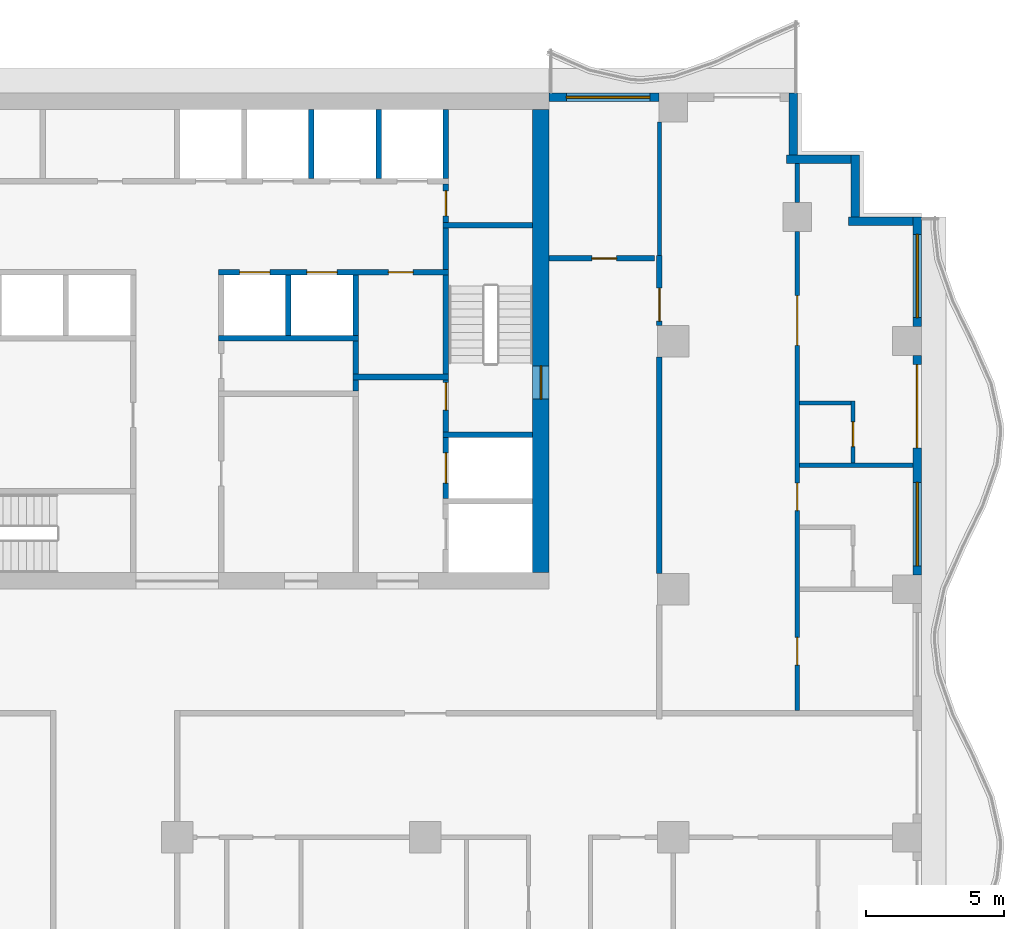
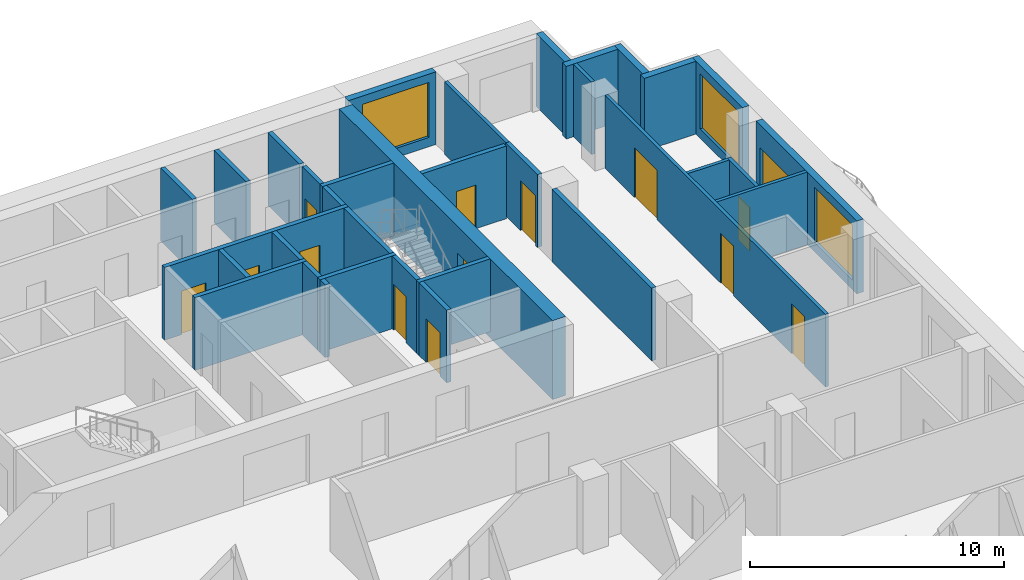
# One storey, part 6 of 11: 34 walls, 14 doors, 3 windows, 17 openings.
"""IFC4 building model written with IfcOpenShell, lengths in metres."""

from ifc_helpers import new_model, si_unit, direction, frame, frame_2d, origin, place, context, subcontext, project, spatial, rectangle, extrude, material, layer, layer_set, type_object, element, fill, save


model = new_model("IFC4")

# Units and contexts
model_context = context("Model", 3, precision=1e-05, world=origin(), true_north=direction((0.0, 1.0)))
body_context = subcontext(model_context, "Body", "Model", "MODEL_VIEW")
ifc_project = project(units=[si_unit("LENGTHUNIT", "METRE"), si_unit("AREAUNIT", "SQUARE_METRE"), si_unit("VOLUMEUNIT", "CUBIC_METRE"), si_unit("PLANEANGLEUNIT", "RADIAN"), si_unit("MASSUNIT", "GRAM", prefix="KILO")], contexts=[model_context])

# Site, building, storey
site_placement = place(None, origin())
site = spatial("IfcSite", under=ifc_project, at=site_placement, CompositionType="ELEMENT")
building_placement = place(site_placement, origin())
building = spatial("IfcBuilding", under=site, at=building_placement, Name="Orbiselva Terraces", CompositionType="ELEMENT")
storey_placement = place(building_placement, frame((0.0, 0.0, 192.0)))
storey = spatial("IfcBuildingStorey", under=building, at=storey_placement, Name="L48", CompositionType="ELEMENT", Elevation=192.0)

# Wall, opening, door
ifc_material_1 = material(Name="Concrete C80/95", Category="concrete")
ifc_layer_1 = layer(ifc_material_1, 0.6)
ifc_layer_set_1 = layer_set([ifc_layer_1], Name="Concrete C80/95")
wall_type_1 = type_object("IfcWallType", Name="CORE WALL 600", PredefinedType="SHEAR", material=ifc_layer_set_1)
wall_1_placement = place(storey_placement, frame((13.2, 5.1, -0.3), z_axis=(0.0, 0.0, 1.0), x_axis=(0.0, 1.0, 0.0)))
wall_1 = element("IfcWall", 1, at=wall_1_placement, inside=storey, type_object=wall_type_1, Name="Core wall L48 east", PredefinedType="SHEAR", context=body_context, shape_type="SweptSolid", body=[
    extrude(rectangle(XDim=16.8, YDim=0.6, at=frame_2d((8.4, 0.0))), origin(), (0.0, 0.0, 1.0), 3.8),
])
opening_1_placement = place(wall_1_placement, frame((6.3, 0.0, 0.3)))
opening_1 = element("IfcOpeningElement", 2, at=opening_1_placement, cuts=wall_1, Name="Opening DS1200", PredefinedType="OPENING", context=body_context, shape_type="SweptSolid", body=[
    extrude(rectangle(XDim=1.2, YDim=2.2, at=frame_2d((0.6, 1.1))), frame((0.0, 0.31, 0.0), z_axis=(0.0, -1.0, 0.0), x_axis=(1.0, 0.0, 0.0)), (0.0, 0.0, 1.0), 0.62),
])
ifc_material_2 = material(Name="Steel fire door", Category="steel")
door_type_1 = type_object("IfcDoorType", Name="STAIR DOOR 1200", OperationType="NOTDEFINED", PredefinedType="DOOR", material=ifc_material_2)
door_1_placement = place(opening_1_placement, frame((1.2, 0.0, 0.0), z_axis=(0.0, 0.0, 1.0), x_axis=(-1.0, 0.0, 0.0)))
door_1 = element("IfcDoor", 3, at=door_1_placement, inside=storey, type_object=door_type_1, Name="L48 EXIT STAIR S2 door", OperationType="SINGLE_SWING_LEFT", OverallHeight=2.2, OverallWidth=1.2, PredefinedType="DOOR", context=body_context, shape_type="SweptSolid", body=[
    extrude(rectangle(XDim=1.2, YDim=2.2, at=frame_2d((0.6, 1.1))), frame((0.0, 0.025, 0.0), z_axis=(0.0, -1.0, 0.0), x_axis=(1.0, 0.0, 0.0)), (0.0, 0.0, 1.0), 0.05),
])
fill(opening_1, door_1)

# Wall
ifc_material_3 = material(Name="Masonry blockwork", Category="masonry")
ifc_layer_2 = layer(ifc_material_3, 0.2)
ifc_layer_set_2 = layer_set([ifc_layer_2], Name="Masonry blockwork")
wall_type_2 = type_object("IfcWallType", Name="CORE-WALL-PARTITION-200", PredefinedType="PARTITIONING", material=ifc_layer_set_2)
wall_2_placement = place(storey_placement, frame((6.475, 12.3, 0.0), z_axis=(0.0, 0.0, 1.0), x_axis=(0.0, 1.0, 0.0)))
element("IfcWall", 4, at=wall_2_placement, inside=storey, type_object=wall_type_2, Name="L48 core wall 33", PredefinedType="PARTITIONING", context=body_context, shape_type="SweptSolid", body=[
    extrude(rectangle(XDim=1.2, YDim=0.2, at=frame_2d((0.6, 0.0))), origin(), (0.0, 0.0, 1.0), 3.5),
])

# Wall, opening, door
wall_3_placement = place(storey_placement, frame((9.75, 19.2, 0.0), z_axis=(0.0, 0.0, 1.0), x_axis=(0.0, -1.0, 0.0)))
wall_3 = element("IfcWall", 5, at=wall_3_placement, inside=storey, type_object=wall_type_2, Name="L48 core wall 44", PredefinedType="PARTITIONING", context=body_context, shape_type="SweptSolid", body=[
    extrude(rectangle(XDim=1.4, YDim=0.2, at=frame_2d((0.7, 0.0))), origin(), (0.0, 0.0, 1.0), 3.5),
])
opening_2_placement = place(wall_3_placement, frame((0.25, 0.0, 0.0)))
opening_2 = element("IfcOpeningElement", 6, at=opening_2_placement, cuts=wall_3, Name="Opening DR900", PredefinedType="OPENING", context=body_context, shape_type="SweptSolid", body=[
    extrude(rectangle(XDim=0.9, YDim=2.1, at=frame_2d((0.45, 1.05))), frame((0.0, 0.11, 0.0), z_axis=(0.0, -1.0, 0.0), x_axis=(1.0, 0.0, 0.0)), (0.0, 0.0, 1.0), 0.22),
])
door_type_2 = type_object("IfcDoorType", Name="ROOM DOOR 900", OperationType="NOTDEFINED", PredefinedType="DOOR", material=ifc_material_2)
door_2_placement = place(opening_2_placement, origin())
door_2 = element("IfcDoor", 7, at=door_2_placement, inside=storey, type_object=door_type_2, Name="L48 ELECTRICAL RISER ROOM door", OperationType="SINGLE_SWING_RIGHT", OverallHeight=2.1, OverallWidth=0.9, PredefinedType="DOOR", context=body_context, shape_type="SweptSolid", body=[
    extrude(rectangle(XDim=0.9, YDim=2.1, at=frame_2d((0.45, 1.05))), frame((0.0, 0.025, 0.0), z_axis=(0.0, -1.0, 0.0), x_axis=(1.0, 0.0, 0.0)), (0.0, 0.0, 1.0), 0.05),
])
fill(opening_2, door_2)

# Walls
ifc_material_4 = material(Name="Concrete C40/50", Category="concrete")
ifc_layer_3 = layer(ifc_material_4, 0.2)
ifc_layer_set_3 = layer_set([ifc_layer_3], Name="Concrete C40/50")
wall_type_3 = type_object("IfcWallType", Name="CORE-WALL-SHAFT-200", PredefinedType="PARTITIONING", material=ifc_layer_set_3)
wall_4_placement = place(storey_placement, frame((4.0375, 13.7, 0.0), z_axis=(0.0, 0.0, 1.0), x_axis=(0.0, 1.0, 0.0)))
element("IfcWall", 8, at=wall_4_placement, inside=storey, type_object=wall_type_3, Name="L48 core wall 28", PredefinedType="PARTITIONING", context=body_context, shape_type="SweptSolid", body=[
    extrude(rectangle(XDim=2.2, YDim=0.2, at=frame_2d((1.1, 0.0))), origin(), (0.0, 0.0, 1.0), 3.5),
])
wall_5_placement = place(storey_placement, frame((4.875, 19.4, 0.0), z_axis=(0.0, 0.0, 1.0), x_axis=(0.0, 1.0, 0.0)))
element("IfcWall", 9, at=wall_5_placement, inside=storey, type_object=wall_type_3, Name="L48 core wall 29", PredefinedType="PARTITIONING", context=body_context, shape_type="SweptSolid", body=[
    extrude(rectangle(XDim=2.5, YDim=0.2, at=frame_2d((1.25, 0.0))), origin(), (0.0, 0.0, 1.0), 3.5),
])
wall_6_placement = place(storey_placement, frame((6.475, 13.7, 0.0), z_axis=(0.0, 0.0, 1.0), x_axis=(0.0, 1.0, 0.0)))
element("IfcWall", 10, at=wall_6_placement, inside=storey, type_object=wall_type_3, Name="L48 core wall 34", PredefinedType="PARTITIONING", context=body_context, shape_type="SweptSolid", body=[
    extrude(rectangle(XDim=2.2, YDim=0.2, at=frame_2d((1.1, 0.0))), origin(), (0.0, 0.0, 1.0), 3.5),
])
for number, where, z_axis, x_axis, name in (
    (11, (7.3125, 19.4, 0.0), (0.0, 0.0, 1.0), (0.0, 1.0, 0.0), "L48 core wall 35"),
    (12, (9.75, 19.4, 0.0), (0.0, 0.0, 1.0), (0.0, 1.0, 0.0), "L48 core wall 45"),
):
    element("IfcWall", number, at=place(storey_placement, frame(where, z_axis=z_axis, x_axis=x_axis)), inside=storey, type_object=wall_type_3, Name=name, PredefinedType="PARTITIONING", context=body_context, shape_type="SweptSolid", body=[
        extrude(rectangle(XDim=2.5, YDim=0.2, at=frame_2d((1.25, 0.0))), origin(), (0.0, 0.0, 1.0), 3.5),
    ])
ifc_material_5 = material(Name="Concrete C60/75", Category="concrete")
ifc_layer_4 = layer(ifc_material_5, 0.2)
ifc_layer_set_4 = layer_set([ifc_layer_4], Name="Concrete C60/75")
wall_type_4 = type_object("IfcWallType", Name="CORE-WALL-SHEAR-200", PredefinedType="SHEAR", material=ifc_layer_set_4)
wall_7_placement = place(storey_placement, frame((1.5, 13.6, 0.0), z_axis=(0.0, 0.0, 1.0), x_axis=(1.0, 0.0, 0.0)))
element("IfcWall", 13, at=wall_7_placement, inside=storey, type_object=wall_type_4, Name="L48 core wall 24", PredefinedType="SHEAR", context=body_context, shape_type="SweptSolid", body=[
    extrude(rectangle(XDim=5.075, YDim=0.2, at=frame_2d((2.5375, 0.0))), origin(), (0.0, 0.0, 1.0), 3.5),
])

# Wall, openings, doors
wall_8_placement = place(storey_placement, frame((9.85, 16.0, 0.0), z_axis=(0.0, 0.0, 1.0), x_axis=(-1.0, 0.0, 0.0)))
wall_8 = element("IfcWall", 14, at=wall_8_placement, inside=storey, type_object=wall_type_4, Name="L48 core wall 26", PredefinedType="SHEAR", context=body_context, shape_type="SweptSolid", body=[
    extrude(rectangle(XDim=8.35, YDim=0.2, at=frame_2d((4.175, 0.0))), origin(), (0.0, 0.0, 1.0), 3.5),
])
opening_3_placement = place(wall_8_placement, frame((6.48125, 0.0, 0.0)))
opening_3 = element("IfcOpeningElement", 15, at=opening_3_placement, cuts=wall_8, Name="Opening LD-HR5", PredefinedType="OPENING", context=body_context, shape_type="SweptSolid", body=[
    extrude(rectangle(XDim=1.1, YDim=2.1, at=frame_2d((0.55, 1.05))), frame((0.0, 0.11, 0.0), z_axis=(0.0, -1.0, 0.0), x_axis=(1.0, 0.0, 0.0)), (0.0, 0.0, 1.0), 0.22),
])
opening_4_placement = place(wall_8_placement, frame((4.04375, 0.0, 0.0)))
opening_4 = element("IfcOpeningElement", 16, at=opening_4_placement, cuts=wall_8, Name="Opening LD-HR6", PredefinedType="OPENING", context=body_context, shape_type="SweptSolid", body=[
    extrude(rectangle(XDim=1.1, YDim=2.1, at=frame_2d((0.55, 1.05))), frame((0.0, 0.11, 0.0), z_axis=(0.0, -1.0, 0.0), x_axis=(1.0, 0.0, 0.0)), (0.0, 0.0, 1.0), 0.22),
])
opening_5_placement = place(wall_8_placement, frame((1.2875, 0.0, 0.0)))
opening_5 = element("IfcOpeningElement", 17, at=opening_5_placement, cuts=wall_8, Name="Opening DR900", PredefinedType="OPENING", context=body_context, shape_type="SweptSolid", body=[
    extrude(rectangle(XDim=0.9, YDim=2.1, at=frame_2d((0.45, 1.05))), frame((0.0, 0.11, 0.0), z_axis=(0.0, -1.0, 0.0), x_axis=(1.0, 0.0, 0.0)), (0.0, 0.0, 1.0), 0.22),
])
ifc_material_6 = material(Name="Stainless steel landing door", Category="steel")
door_type_3 = type_object("IfcDoorType", Name="LANDING DOOR 1100", OperationType="SLIDING_TO_LEFT", PredefinedType="DOOR", material=ifc_material_6)
door_3_placement = place(opening_3_placement, origin())
door_3 = element("IfcDoor", 18, at=door_3_placement, inside=storey, type_object=door_type_3, Name="L48 landing door HR5", OperationType="SLIDING_TO_RIGHT", OverallHeight=2.1, OverallWidth=1.1, PredefinedType="DOOR", context=body_context, shape_type="SweptSolid", body=[
    extrude(rectangle(XDim=1.1, YDim=2.1, at=frame_2d((0.55, 1.05))), frame((0.0, 0.025, 0.0), z_axis=(0.0, -1.0, 0.0), x_axis=(1.0, 0.0, 0.0)), (0.0, 0.0, 1.0), 0.05),
])
fill(opening_3, door_3)
door_4_placement = place(opening_4_placement, origin())
door_4 = element("IfcDoor", 19, at=door_4_placement, inside=storey, type_object=door_type_3, Name="L48 landing door HR6", OperationType="SLIDING_TO_RIGHT", OverallHeight=2.1, OverallWidth=1.1, PredefinedType="DOOR", context=body_context, shape_type="SweptSolid", body=[
    extrude(rectangle(XDim=1.1, YDim=2.1, at=frame_2d((0.55, 1.05))), frame((0.0, 0.025, 0.0), z_axis=(0.0, -1.0, 0.0), x_axis=(1.0, 0.0, 0.0)), (0.0, 0.0, 1.0), 0.05),
])
fill(opening_4, door_4)
door_5_placement = place(opening_5_placement, origin())
door_5 = element("IfcDoor", 20, at=door_5_placement, inside=storey, type_object=door_type_2, Name="L48 PIPE RISER ROOM door", OperationType="SINGLE_SWING_LEFT", OverallHeight=2.1, OverallWidth=0.9, PredefinedType="DOOR", context=body_context, shape_type="SweptSolid", body=[
    extrude(rectangle(XDim=0.9, YDim=2.1, at=frame_2d((0.45, 1.05))), frame((0.0, 0.025, 0.0), z_axis=(0.0, -1.0, 0.0), x_axis=(1.0, 0.0, 0.0)), (0.0, 0.0, 1.0), 0.05),
])
fill(opening_5, door_5)

# Walls
wall_9_placement = place(storey_placement, frame((6.475, 11.7, 0.0), z_axis=(0.0, 0.0, 1.0), x_axis=(0.0, 1.0, 0.0)))
element("IfcWall", 21, at=wall_9_placement, inside=storey, type_object=wall_type_4, Name="L48 core wall 31", PredefinedType="SHEAR", context=body_context, shape_type="SweptSolid", body=[
    extrude(rectangle(XDim=0.4, YDim=0.2, at=frame_2d((0.2, 0.0))), origin(), (0.0, 0.0, 1.0), 3.5),
])
wall_10_placement = place(storey_placement, frame((6.375, 12.2, 0.0), z_axis=(0.0, 0.0, 1.0), x_axis=(1.0, 0.0, 0.0)))
element("IfcWall", 22, at=wall_10_placement, inside=storey, type_object=wall_type_4, Name="L48 core wall 32", PredefinedType="SHEAR", context=body_context, shape_type="SweptSolid", body=[
    extrude(rectangle(XDim=3.475, YDim=0.2, at=frame_2d((1.7375, 0.0))), origin(), (0.0, 0.0, 1.0), 3.5),
])

# Wall, opening, door
wall_11_placement = place(storey_placement, frame((9.75, 7.8, 0.0), z_axis=(0.0, 0.0, 1.0), x_axis=(0.0, 1.0, 0.0)))
wall_11 = element("IfcWall", 23, at=wall_11_placement, inside=storey, type_object=wall_type_4, Name="L48 core wall 38", PredefinedType="SHEAR", context=body_context, shape_type="SweptSolid", body=[
    extrude(rectangle(XDim=2.2, YDim=0.2, at=frame_2d((1.1, 0.0))), origin(), (0.0, 0.0, 1.0), 3.5),
])
opening_6_placement = place(wall_11_placement, frame((0.55, 0.0, 0.0)))
opening_6 = element("IfcOpeningElement", 24, at=opening_6_placement, cuts=wall_11, Name="Opening LD-FF2", PredefinedType="OPENING", context=body_context, shape_type="SweptSolid", body=[
    extrude(rectangle(XDim=1.1, YDim=2.1, at=frame_2d((0.55, 1.05))), frame((0.0, 0.11, 0.0), z_axis=(0.0, -1.0, 0.0), x_axis=(1.0, 0.0, 0.0)), (0.0, 0.0, 1.0), 0.22),
])
door_6_placement = place(opening_6_placement, origin())
door_6 = element("IfcDoor", 25, at=door_6_placement, inside=storey, type_object=door_type_3, Name="L48 landing door FF2", OperationType="SLIDING_TO_RIGHT", OverallHeight=2.1, OverallWidth=1.1, PredefinedType="DOOR", context=body_context, shape_type="SweptSolid", body=[
    extrude(rectangle(XDim=1.1, YDim=2.1, at=frame_2d((0.55, 1.05))), frame((0.0, 0.025, 0.0), z_axis=(0.0, -1.0, 0.0), x_axis=(1.0, 0.0, 0.0)), (0.0, 0.0, 1.0), 0.05),
])
fill(opening_6, door_6)

# Wall
wall_12_placement = place(storey_placement, frame((9.65, 10.1, 0.0), z_axis=(0.0, 0.0, 1.0), x_axis=(1.0, 0.0, 0.0)))
element("IfcWall", 26, at=wall_12_placement, inside=storey, type_object=wall_type_4, Name="L48 core wall 39", PredefinedType="SHEAR", context=body_context, shape_type="SweptSolid", body=[
    extrude(rectangle(XDim=3.25, YDim=0.2, at=frame_2d((1.625, 0.0))), origin(), (0.0, 0.0, 1.0), 3.5),
])

# Wall, opening, door
wall_13_placement = place(storey_placement, frame((9.75, 12.1, 0.0), z_axis=(0.0, 0.0, 1.0), x_axis=(0.0, -1.0, 0.0)))
wall_13 = element("IfcWall", 27, at=wall_13_placement, inside=storey, type_object=wall_type_4, Name="L48 core wall 40", PredefinedType="SHEAR", context=body_context, shape_type="SweptSolid", body=[
    extrude(rectangle(XDim=1.9, YDim=0.2, at=frame_2d((0.95, 0.0))), origin(), (0.0, 0.0, 1.0), 3.5),
])
opening_7_placement = place(wall_13_placement, frame((0.1, 0.0, 0.0)))
opening_7 = element("IfcOpeningElement", 28, at=opening_7_placement, cuts=wall_13, Name="Opening DS1000", PredefinedType="OPENING", context=body_context, shape_type="SweptSolid", body=[
    extrude(rectangle(XDim=1.0, YDim=2.2, at=frame_2d((0.5, 1.1))), frame((0.0, 0.11, 0.0), z_axis=(0.0, -1.0, 0.0), x_axis=(1.0, 0.0, 0.0)), (0.0, 0.0, 1.0), 0.22),
])
door_type_4 = type_object("IfcDoorType", Name="STAIR DOOR 1000", OperationType="NOTDEFINED", PredefinedType="DOOR", material=ifc_material_2)
door_7_placement = place(opening_7_placement, origin())
door_7 = element("IfcDoor", 29, at=door_7_placement, inside=storey, type_object=door_type_4, Name="L48 FIRE-FIGHTING LOBBY TO EXIT STAIR S2 door", OperationType="SINGLE_SWING_LEFT", OverallHeight=2.2, OverallWidth=1.0, PredefinedType="DOOR", context=body_context, shape_type="SweptSolid", body=[
    extrude(rectangle(XDim=1.0, YDim=2.2, at=frame_2d((0.5, 1.1))), frame((0.0, 0.025, 0.0), z_axis=(0.0, -1.0, 0.0), x_axis=(1.0, 0.0, 0.0)), (0.0, 0.0, 1.0), 0.05),
])
fill(opening_7, door_7)

# Walls
wall_14_placement = place(storey_placement, frame((9.75, 12.3, 0.0), z_axis=(0.0, 0.0, 1.0), x_axis=(0.0, 1.0, 0.0)))
element("IfcWall", 30, at=wall_14_placement, inside=storey, type_object=wall_type_4, Name="L48 core wall 41", PredefinedType="SHEAR", context=body_context, shape_type="SweptSolid", body=[
    extrude(rectangle(XDim=3.6, YDim=0.2, at=frame_2d((1.8, 0.0))), origin(), (0.0, 0.0, 1.0), 3.5),
])
wall_15_placement = place(storey_placement, frame((9.75, 16.1, 0.0), z_axis=(0.0, 0.0, 1.0), x_axis=(0.0, 1.0, 0.0)))
element("IfcWall", 31, at=wall_15_placement, inside=storey, type_object=wall_type_4, Name="L48 core wall 42", PredefinedType="SHEAR", context=body_context, shape_type="SweptSolid", body=[
    extrude(rectangle(XDim=1.5, YDim=0.2, at=frame_2d((0.75, 0.0))), origin(), (0.0, 0.0, 1.0), 3.5),
])
wall_16_placement = place(storey_placement, frame((9.65, 17.7, 0.0), z_axis=(0.0, 0.0, 1.0), x_axis=(1.0, 0.0, 0.0)))
element("IfcWall", 32, at=wall_16_placement, inside=storey, type_object=wall_type_4, Name="L48 core wall 43", PredefinedType="SHEAR", context=body_context, shape_type="SweptSolid", body=[
    extrude(rectangle(XDim=3.25, YDim=0.2, at=frame_2d((1.625, 0.0))), origin(), (0.0, 0.0, 1.0), 3.5),
])

# Wall, openings, door, window
ifc_material_7 = material(Name="Terracotta cladding on masonry backing", Category="masonry")
ifc_layer_5 = layer(ifc_material_7, 0.3)
ifc_layer_set_5 = layer_set([ifc_layer_5], Name="Terracotta cladding on masonry backing")
wall_type_5 = type_object("IfcWallType", Name="ENV-WALL-TERRACOTTA-300", PredefinedType="SOLIDWALL", material=ifc_layer_set_5)
wall_17_placement = place(storey_placement, frame((26.85, 12.975, 0.0), z_axis=(0.0, 0.0, 1.0), x_axis=(0.0, -1.0, 0.0)))
wall_17 = element("IfcWall", 33, at=wall_17_placement, inside=storey, type_object=wall_type_5, Name="Facade wall L48 E", PredefinedType="SOLIDWALL", context=body_context, shape_type="SweptSolid", body=[
    extrude(rectangle(XDim=7.95, YDim=0.3, at=frame_2d((3.975, 0.0))), origin(), (0.0, 0.0, 1.0), 3.5),
])
opening_8_placement = place(wall_17_placement, frame((4.6, 0.0, 0.45)))
opening_8 = element("IfcOpeningElement", 34, at=opening_8_placement, cuts=wall_17, Name="Opening WN14", PredefinedType="OPENING", context=body_context, shape_type="SweptSolid", body=[
    extrude(rectangle(XDim=3.025, YDim=2.65, at=frame_2d((1.5125, 1.325))), frame((0.0, 0.16, 0.0), z_axis=(0.0, -1.0, 0.0), x_axis=(1.0, 0.0, 0.0)), (0.0, 0.0, 1.0), 0.32),
])
opening_9_placement = place(wall_17_placement, frame((0.325, 0.0, 0.0)))
opening_9 = element("IfcOpeningElement", 35, at=opening_9_placement, cuts=wall_17, Name="Opening Z4-A-E07", PredefinedType="OPENING", context=body_context, shape_type="SweptSolid", body=[
    extrude(rectangle(XDim=3.025, YDim=2.4, at=frame_2d((1.5125, 1.2))), frame((0.0, 0.16, 0.0), z_axis=(0.0, -1.0, 0.0), x_axis=(1.0, 0.0, 0.0)), (0.0, 0.0, 1.0), 0.32),
])
ifc_material_8 = material(Name="Clear low-e glazing in aluminium frame", Category="aluminium")
door_type_5 = type_object("IfcDoorType", Name="BALCONY DOOR 3025 X 2400", OperationType="DOUBLE_DOOR_SLIDING", PredefinedType="DOOR", material=ifc_material_8)
door_8_placement = place(opening_9_placement, origin())
door_8 = element("IfcDoor", 36, at=door_8_placement, inside=storey, type_object=door_type_5, Name="Z4-A-E07", OperationType="SINGLE_SWING_LEFT", OverallHeight=2.4, OverallWidth=3.025, PredefinedType="DOOR", context=body_context, shape_type="SweptSolid", body=[
    extrude(rectangle(XDim=3.025, YDim=2.4, at=frame_2d((1.5125, 1.2))), frame((0.0, 0.025, 0.0), z_axis=(0.0, -1.0, 0.0), x_axis=(1.0, 0.0, 0.0)), (0.0, 0.0, 1.0), 0.05),
])
fill(opening_9, door_8)
window_type = type_object("IfcWindowType", Name="WINDOW 3025 X 2650 S450", PartitioningType="TRIPLE_PANEL_VERTICAL", PredefinedType="WINDOW", material=ifc_material_8)
window_1_placement = place(opening_8_placement, origin())
window_1 = element("IfcWindow", 37, at=window_1_placement, inside=storey, type_object=window_type, Name="Window L48 E", OverallHeight=2.65, OverallWidth=3.025, PartitioningType="SINGLE_PANEL", PredefinedType="WINDOW", context=body_context, shape_type="SweptSolid", body=[
    extrude(rectangle(XDim=3.025, YDim=2.65, at=frame_2d((1.5125, 1.325))), frame((0.0, 0.03, 0.0), z_axis=(0.0, -1.0, 0.0), x_axis=(1.0, 0.0, 0.0)), (0.0, 0.0, 1.0), 0.06),
])
fill(opening_8, window_1)

# Wall, opening, window
wall_18_placement = place(storey_placement, frame((26.85, 18.0, 0.0), z_axis=(0.0, 0.0, 1.0), x_axis=(0.0, -1.0, 0.0)))
wall_18 = element("IfcWall", 38, at=wall_18_placement, inside=storey, type_object=wall_type_5, Name="Facade wall L48 E", PredefinedType="SOLIDWALL", context=body_context, shape_type="SweptSolid", body=[
    extrude(rectangle(XDim=3.975, YDim=0.3, at=frame_2d((1.9875, 0.0))), origin(), (0.0, 0.0, 1.0), 3.5),
])
opening_10_placement = place(wall_18_placement, frame((0.625, 0.0, 0.45)))
opening_10 = element("IfcOpeningElement", 39, at=opening_10_placement, cuts=wall_18, Name="Opening WN14", PredefinedType="OPENING", context=body_context, shape_type="SweptSolid", body=[
    extrude(rectangle(XDim=3.025, YDim=2.65, at=frame_2d((1.5125, 1.325))), frame((0.0, 0.16, 0.0), z_axis=(0.0, -1.0, 0.0), x_axis=(1.0, 0.0, 0.0)), (0.0, 0.0, 1.0), 0.32),
])
window_2_placement = place(opening_10_placement, origin())
window_2 = element("IfcWindow", 40, at=window_2_placement, inside=storey, type_object=window_type, Name="Window L48 E", OverallHeight=2.65, OverallWidth=3.025, PartitioningType="SINGLE_PANEL", PredefinedType="WINDOW", context=body_context, shape_type="SweptSolid", body=[
    extrude(rectangle(XDim=3.025, YDim=2.65, at=frame_2d((1.5125, 1.325))), frame((0.0, 0.03, 0.0), z_axis=(0.0, -1.0, 0.0), x_axis=(1.0, 0.0, 0.0)), (0.0, 0.0, 1.0), 0.06),
])
fill(opening_10, window_2)

# Walls
wall_19_placement = place(storey_placement, frame((24.35, 17.85, 0.0), z_axis=(0.0, 0.0, 1.0), x_axis=(1.0, 0.0, 0.0)))
element("IfcWall", 41, at=wall_19_placement, inside=storey, type_object=wall_type_5, Name="Facade wall L48 STEP", PredefinedType="SOLIDWALL", context=body_context, shape_type="SweptSolid", body=[
    extrude(rectangle(XDim=2.35, YDim=0.3, at=frame_2d((1.175, 0.0))), origin(), (0.0, 0.0, 1.0), 3.5),
])
wall_20_placement = place(storey_placement, frame((24.6, 20.25, 0.0), z_axis=(0.0, 0.0, 1.0), x_axis=(0.0, -1.0, 0.0)))
element("IfcWall", 42, at=wall_20_placement, inside=storey, type_object=wall_type_5, Name="Facade wall L48 STEP", PredefinedType="SOLIDWALL", context=body_context, shape_type="SweptSolid", body=[
    extrude(rectangle(XDim=2.25, YDim=0.3, at=frame_2d((1.125, 0.0))), origin(), (0.0, 0.0, 1.0), 3.5),
])
wall_21_placement = place(storey_placement, frame((22.1, 20.1, 0.0), z_axis=(0.0, 0.0, 1.0), x_axis=(1.0, 0.0, 0.0)))
element("IfcWall", 43, at=wall_21_placement, inside=storey, type_object=wall_type_5, Name="Facade wall L48 STEP", PredefinedType="SOLIDWALL", context=body_context, shape_type="SweptSolid", body=[
    extrude(rectangle(XDim=2.35, YDim=0.3, at=frame_2d((1.175, 0.0))), origin(), (0.0, 0.0, 1.0), 3.5),
])
wall_22_placement = place(storey_placement, frame((22.35, 22.5, 0.0), z_axis=(0.0, 0.0, 1.0), x_axis=(0.0, -1.0, 0.0)))
element("IfcWall", 44, at=wall_22_placement, inside=storey, type_object=wall_type_5, Name="Facade wall L48 STEP", PredefinedType="SOLIDWALL", context=body_context, shape_type="SweptSolid", body=[
    extrude(rectangle(XDim=2.25, YDim=0.3, at=frame_2d((1.125, 0.0))), origin(), (0.0, 0.0, 1.0), 3.5),
])

# Wall, opening, window
wall_23_placement = place(storey_placement, frame((13.5, 22.35, 0.0), z_axis=(0.0, 0.0, 1.0), x_axis=(1.0, 0.0, 0.0)))
wall_23 = element("IfcWall", 45, at=wall_23_placement, inside=storey, type_object=wall_type_5, Name="Facade wall L48 NE", PredefinedType="SOLIDWALL", context=body_context, shape_type="SweptSolid", body=[
    extrude(rectangle(XDim=3.975, YDim=0.3, at=frame_2d((1.9875, 0.0))), origin(), (0.0, 0.0, 1.0), 3.5),
])
opening_11_placement = place(wall_23_placement, frame((0.625, 0.0, 0.45)))
opening_11 = element("IfcOpeningElement", 46, at=opening_11_placement, cuts=wall_23, Name="Opening WN14", PredefinedType="OPENING", context=body_context, shape_type="SweptSolid", body=[
    extrude(rectangle(XDim=3.025, YDim=2.65, at=frame_2d((1.5125, 1.325))), frame((0.0, 0.16, 0.0), z_axis=(0.0, -1.0, 0.0), x_axis=(1.0, 0.0, 0.0)), (0.0, 0.0, 1.0), 0.32),
])
window_3_placement = place(opening_11_placement, origin())
window_3 = element("IfcWindow", 47, at=window_3_placement, inside=storey, type_object=window_type, Name="Window L48 NE", OverallHeight=2.65, OverallWidth=3.025, PartitioningType="SINGLE_PANEL", PredefinedType="WINDOW", context=body_context, shape_type="SweptSolid", body=[
    extrude(rectangle(XDim=3.025, YDim=2.65, at=frame_2d((1.5125, 1.325))), frame((0.0, 0.03, 0.0), z_axis=(0.0, -1.0, 0.0), x_axis=(1.0, 0.0, 0.0)), (0.0, 0.0, 1.0), 0.06),
])
fill(opening_11, window_3)

# Wall, opening, door
ifc_material_9 = material(Name="Plasterboard on steel stud partition", Category="steel")
ifc_layer_6 = layer(ifc_material_9, 0.2)
ifc_layer_set_6 = layer_set([ifc_layer_6], Name="Plasterboard on steel stud partition")
wall_type_6 = type_object("IfcWallType", Name="UNIT-ENTRANCE-WALL-200", PredefinedType="PARTITIONING", material=ifc_layer_set_6)
wall_24_placement = place(storey_placement, frame((13.5, 16.5, 0.0), z_axis=(0.0, 0.0, 1.0), x_axis=(1.0, 0.0, 0.0)))
wall_24 = element("IfcWall", 48, at=wall_24_placement, inside=storey, type_object=wall_type_6, Name="PARTITION L48-039", PredefinedType="PARTITIONING", context=body_context, shape_type="SweptSolid", body=[
    extrude(rectangle(XDim=3.825, YDim=0.2, at=frame_2d((1.9125, 0.0))), origin(), (0.0, 0.0, 1.0), 3.5),
])
opening_12_placement = place(wall_24_placement, frame((1.55, 0.0, 0.0)))
opening_12 = element("IfcOpeningElement", 49, at=opening_12_placement, cuts=wall_24, Name="Opening Z4-A-01", PredefinedType="OPENING", context=body_context, shape_type="SweptSolid", body=[
    extrude(rectangle(XDim=0.9, YDim=2.1, at=frame_2d((0.45, 1.05))), frame((0.0, 0.11, 0.0), z_axis=(0.0, -1.0, 0.0), x_axis=(1.0, 0.0, 0.0)), (0.0, 0.0, 1.0), 0.22),
])
ifc_material_10 = material(Name="Painted timber door leaf", Category="wood")
door_type_6 = type_object("IfcDoorType", Name="SERVICE DOOR 900", OperationType="NOTDEFINED", PredefinedType="DOOR", material=ifc_material_10)
door_9_placement = place(opening_12_placement, origin())
door_9 = element("IfcDoor", 50, at=door_9_placement, inside=storey, type_object=door_type_6, Name="Z4-A-01", OperationType="SINGLE_SWING_RIGHT", OverallHeight=2.1, OverallWidth=0.9, PredefinedType="DOOR", context=body_context, shape_type="SweptSolid", body=[
    extrude(rectangle(XDim=0.9, YDim=2.1, at=frame_2d((0.45, 1.05))), frame((0.0, 0.025, 0.0), z_axis=(0.0, -1.0, 0.0), x_axis=(1.0, 0.0, 0.0)), (0.0, 0.0, 1.0), 0.05),
])
fill(opening_12, door_9)

# Wall
wall_25_placement = place(storey_placement, frame((17.5, 5.075, 0.0), z_axis=(0.0, 0.0, 1.0), x_axis=(0.0, 1.0, 0.0)))
element("IfcWall", 51, at=wall_25_placement, inside=storey, type_object=wall_type_6, Name="PARTITION L48-073", PredefinedType="PARTITIONING", context=body_context, shape_type="SweptSolid", body=[
    extrude(rectangle(XDim=7.85, YDim=0.2, at=frame_2d((3.925, 0.0))), origin(), (0.0, 0.0, 1.0), 3.5),
])

# Wall, opening, door
wall_26_placement = place(storey_placement, frame((17.5, 16.6, 0.0), z_axis=(0.0, 0.0, 1.0), x_axis=(0.0, -1.0, 0.0)))
wall_26 = element("IfcWall", 52, at=wall_26_placement, inside=storey, type_object=wall_type_6, Name="PARTITION L48-074", PredefinedType="PARTITIONING", context=body_context, shape_type="SweptSolid", body=[
    extrude(rectangle(XDim=2.525, YDim=0.2, at=frame_2d((1.2625, 0.0))), origin(), (0.0, 0.0, 1.0), 3.5),
])
opening_13_placement = place(wall_26_placement, frame((1.175, 0.0, 0.0)))
opening_13 = element("IfcOpeningElement", 53, at=opening_13_placement, cuts=wall_26, Name="Opening Z4-A-08", PredefinedType="OPENING", context=body_context, shape_type="SweptSolid", body=[
    extrude(rectangle(XDim=1.2, YDim=2.4, at=frame_2d((0.6, 1.2))), frame((0.0, 0.11, 0.0), z_axis=(0.0, -1.0, 0.0), x_axis=(1.0, 0.0, 0.0)), (0.0, 0.0, 1.0), 0.22),
])
door_type_7 = type_object("IfcDoorType", Name="ENTRANCE DOOR 1200", OperationType="NOTDEFINED", PredefinedType="DOOR", material=ifc_material_10)
door_10_placement = place(opening_13_placement, origin())
door_10 = element("IfcDoor", 54, at=door_10_placement, inside=storey, type_object=door_type_7, Name="Z4-A-08", OperationType="SINGLE_SWING_RIGHT", OverallHeight=2.4, OverallWidth=1.2, PredefinedType="DOOR", context=body_context, shape_type="SweptSolid", body=[
    extrude(rectangle(XDim=1.2, YDim=2.4, at=frame_2d((0.6, 1.2))), frame((0.0, 0.025, 0.0), z_axis=(0.0, -1.0, 0.0), x_axis=(1.0, 0.0, 0.0)), (0.0, 0.0, 1.0), 0.05),
])
fill(opening_13, door_10)

# Walls
ifc_layer_7 = layer(ifc_material_9, 0.15)
ifc_layer_set_7 = layer_set([ifc_layer_7], Name="Plasterboard on steel stud partition")
wall_type_7 = type_object("IfcWallType", Name="UNIT-PARTITION-150", PredefinedType="PARTITIONING", material=ifc_layer_set_7)
wall_27_placement = place(storey_placement, frame((22.575, 9.0, 0.0), z_axis=(0.0, 0.0, 1.0), x_axis=(1.0, 0.0, 0.0)))
element("IfcWall", 55, at=wall_27_placement, inside=storey, type_object=wall_type_7, Name="PARTITION L48-035", PredefinedType="PARTITIONING", context=body_context, shape_type="SweptSolid", body=[
    extrude(rectangle(XDim=4.125, YDim=0.15, at=frame_2d((2.0625, 0.0))), origin(), (0.0, 0.0, 1.0), 3.5),
])
wall_28_placement = place(storey_placement, frame((22.575, 11.25, 0.0), z_axis=(0.0, 0.0, 1.0), x_axis=(1.0, 0.0, 0.0)))
element("IfcWall", 56, at=wall_28_placement, inside=storey, type_object=wall_type_7, Name="PARTITION L48-036", PredefinedType="PARTITIONING", context=body_context, shape_type="SweptSolid", body=[
    extrude(rectangle(XDim=1.875, YDim=0.15, at=frame_2d((0.9375, 0.0))), origin(), (0.0, 0.0, 1.0), 3.5),
])
wall_29_placement = place(storey_placement, frame((17.5, 16.4, 0.0), z_axis=(0.0, 0.0, 1.0), x_axis=(0.0, 1.0, 0.0)))
element("IfcWall", 57, at=wall_29_placement, inside=storey, type_object=wall_type_7, Name="PARTITION L48-075", PredefinedType="PARTITIONING", context=body_context, shape_type="SweptSolid", body=[
    extrude(rectangle(XDim=5.05, YDim=0.15, at=frame_2d((2.525, 0.0))), origin(), (0.0, 0.0, 1.0), 3.5),
])

# Wall, openings, doors
wall_30_placement = place(storey_placement, frame((22.5, 17.475, 0.0), z_axis=(0.0, 0.0, 1.0), x_axis=(0.0, -1.0, 0.0)))
wall_30 = element("IfcWall", 58, at=wall_30_placement, inside=storey, type_object=wall_type_7, Name="PARTITION L48-081", PredefinedType="PARTITIONING", context=body_context, shape_type="SweptSolid", body=[
    extrude(rectangle(XDim=17.375, YDim=0.15, at=frame_2d((8.6875, 0.0))), origin(), (0.0, 0.0, 1.0), 3.5),
])
opening_14_placement = place(wall_30_placement, frame((14.725, 0.0, 0.0)))
opening_14 = element("IfcOpeningElement", 59, at=opening_14_placement, cuts=wall_30, Name="Opening Z4-A-09", PredefinedType="OPENING", context=body_context, shape_type="SweptSolid", body=[
    extrude(rectangle(XDim=1.0, YDim=2.4, at=frame_2d((0.5, 1.2))), frame((0.0, 0.085, 0.0), z_axis=(0.0, -1.0, 0.0), x_axis=(1.0, 0.0, 0.0)), (0.0, 0.0, 1.0), 0.17),
])
opening_15_placement = place(wall_30_placement, frame((9.125, 0.0, 0.0)))
opening_15 = element("IfcOpeningElement", 60, at=opening_15_placement, cuts=wall_30, Name="Opening Z4-A-10", PredefinedType="OPENING", context=body_context, shape_type="SweptSolid", body=[
    extrude(rectangle(XDim=1.0, YDim=2.4, at=frame_2d((0.5, 1.2))), frame((0.0, 0.085, 0.0), z_axis=(0.0, -1.0, 0.0), x_axis=(1.0, 0.0, 0.0)), (0.0, 0.0, 1.0), 0.17),
])
opening_16_placement = place(wall_30_placement, frame((2.325, 0.0, 0.0)))
opening_16 = element("IfcOpeningElement", 61, at=opening_16_placement, cuts=wall_30, Name="Opening Z4-A-12", PredefinedType="OPENING", context=body_context, shape_type="SweptSolid", body=[
    extrude(rectangle(XDim=1.8, YDim=2.4, at=frame_2d((0.9, 1.2))), frame((0.0, 0.085, 0.0), z_axis=(0.0, -1.0, 0.0), x_axis=(1.0, 0.0, 0.0)), (0.0, 0.0, 1.0), 0.17),
])
door_type_8 = type_object("IfcDoorType", Name="DOUBLE DOOR 1800", OperationType="NOTDEFINED", PredefinedType="DOOR", material=ifc_material_10)
door_11_placement = place(opening_16_placement, origin())
door_11 = element("IfcDoor", 62, at=door_11_placement, inside=storey, type_object=door_type_8, Name="Z4-A-12", OperationType="DOUBLE_DOOR_SINGLE_SWING", OverallHeight=2.4, OverallWidth=1.8, PredefinedType="DOOR", context=body_context, shape_type="SweptSolid", body=[
    extrude(rectangle(XDim=1.8, YDim=2.4, at=frame_2d((0.9, 1.2))), frame((0.0, 0.025, 0.0), z_axis=(0.0, -1.0, 0.0), x_axis=(1.0, 0.0, 0.0)), (0.0, 0.0, 1.0), 0.05),
])
fill(opening_16, door_11)
door_type_9 = type_object("IfcDoorType", Name="ROOM DOOR 1000", OperationType="NOTDEFINED", PredefinedType="DOOR", material=ifc_material_10)
door_12_placement = place(opening_14_placement, origin())
door_12 = element("IfcDoor", 63, at=door_12_placement, inside=storey, type_object=door_type_9, Name="Z4-A-09", OperationType="SINGLE_SWING_RIGHT", OverallHeight=2.4, OverallWidth=1.0, PredefinedType="DOOR", context=body_context, shape_type="SweptSolid", body=[
    extrude(rectangle(XDim=1.0, YDim=2.4, at=frame_2d((0.5, 1.2))), frame((0.0, 0.025, 0.0), z_axis=(0.0, -1.0, 0.0), x_axis=(1.0, 0.0, 0.0)), (0.0, 0.0, 1.0), 0.05),
])
fill(opening_14, door_12)
door_13_placement = place(opening_15_placement, origin())
door_13 = element("IfcDoor", 64, at=door_13_placement, inside=storey, type_object=door_type_9, Name="Z4-A-10", OperationType="SINGLE_SWING_RIGHT", OverallHeight=2.4, OverallWidth=1.0, PredefinedType="DOOR", context=body_context, shape_type="SweptSolid", body=[
    extrude(rectangle(XDim=1.0, YDim=2.4, at=frame_2d((0.5, 1.2))), frame((0.0, 0.025, 0.0), z_axis=(0.0, -1.0, 0.0), x_axis=(1.0, 0.0, 0.0)), (0.0, 0.0, 1.0), 0.05),
])
fill(opening_15, door_13)

# Wall
wall_31_placement = place(storey_placement, frame((22.5, 18.525, 0.0), z_axis=(0.0, 0.0, 1.0), x_axis=(0.0, 1.0, 0.0)))
element("IfcWall", 65, at=wall_31_placement, inside=storey, type_object=wall_type_7, Name="PARTITION L48-082", PredefinedType="PARTITIONING", context=body_context, shape_type="SweptSolid", body=[
    extrude(rectangle(XDim=1.425, YDim=0.15, at=frame_2d((0.7125, 0.0))), origin(), (0.0, 0.0, 1.0), 3.5),
])

# Wall, opening, door
wall_32_placement = place(storey_placement, frame((24.525, 9.075, 0.0), z_axis=(0.0, 0.0, 1.0), x_axis=(0.0, 1.0, 0.0)))
wall_32 = element("IfcWall", 66, at=wall_32_placement, inside=storey, type_object=wall_type_7, Name="PARTITION L48-085", PredefinedType="PARTITIONING", context=body_context, shape_type="SweptSolid", body=[
    extrude(rectangle(XDim=2.25, YDim=0.15, at=frame_2d((1.125, 0.0))), origin(), (0.0, 0.0, 1.0), 3.5),
])
opening_17_placement = place(wall_32_placement, frame((0.6, 0.0, 0.0)))
opening_17 = element("IfcOpeningElement", 67, at=opening_17_placement, cuts=wall_32, Name="Opening Z4-A-13", PredefinedType="OPENING", context=body_context, shape_type="SweptSolid", body=[
    extrude(rectangle(XDim=0.9, YDim=2.1, at=frame_2d((0.45, 1.05))), frame((0.0, 0.085, 0.0), z_axis=(0.0, -1.0, 0.0), x_axis=(1.0, 0.0, 0.0)), (0.0, 0.0, 1.0), 0.17),
])
door_type_10 = type_object("IfcDoorType", Name="BATH DOOR 900", OperationType="NOTDEFINED", PredefinedType="DOOR", material=ifc_material_10)
door_14_placement = place(opening_17_placement, origin())
door_14 = element("IfcDoor", 68, at=door_14_placement, inside=storey, type_object=door_type_10, Name="Z4-A-13", OperationType="SINGLE_SWING_LEFT", OverallHeight=2.1, OverallWidth=0.9, PredefinedType="DOOR", context=body_context, shape_type="SweptSolid", body=[
    extrude(rectangle(XDim=0.9, YDim=2.1, at=frame_2d((0.45, 1.05))), frame((0.0, 0.025, 0.0), z_axis=(0.0, -1.0, 0.0), x_axis=(1.0, 0.0, 0.0)), (0.0, 0.0, 1.0), 0.05),
])
fill(opening_17, door_14)

save(model, "model.ifc")
